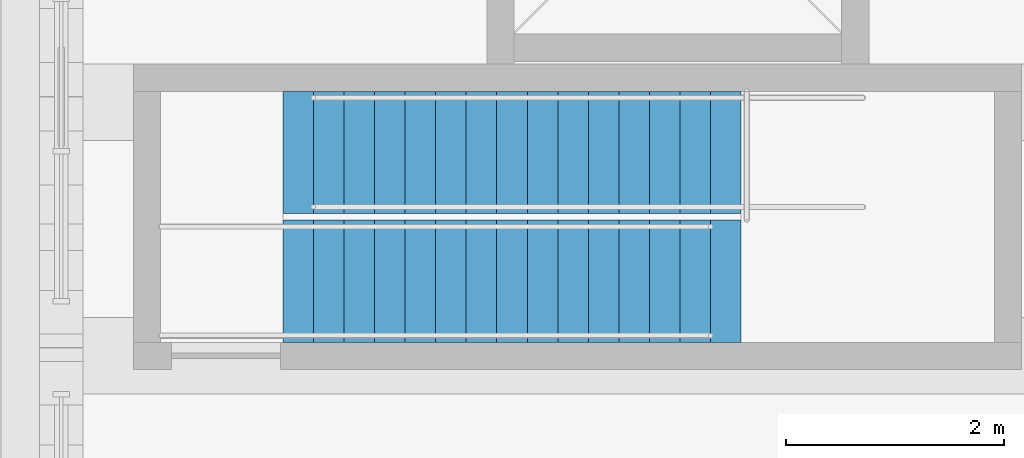
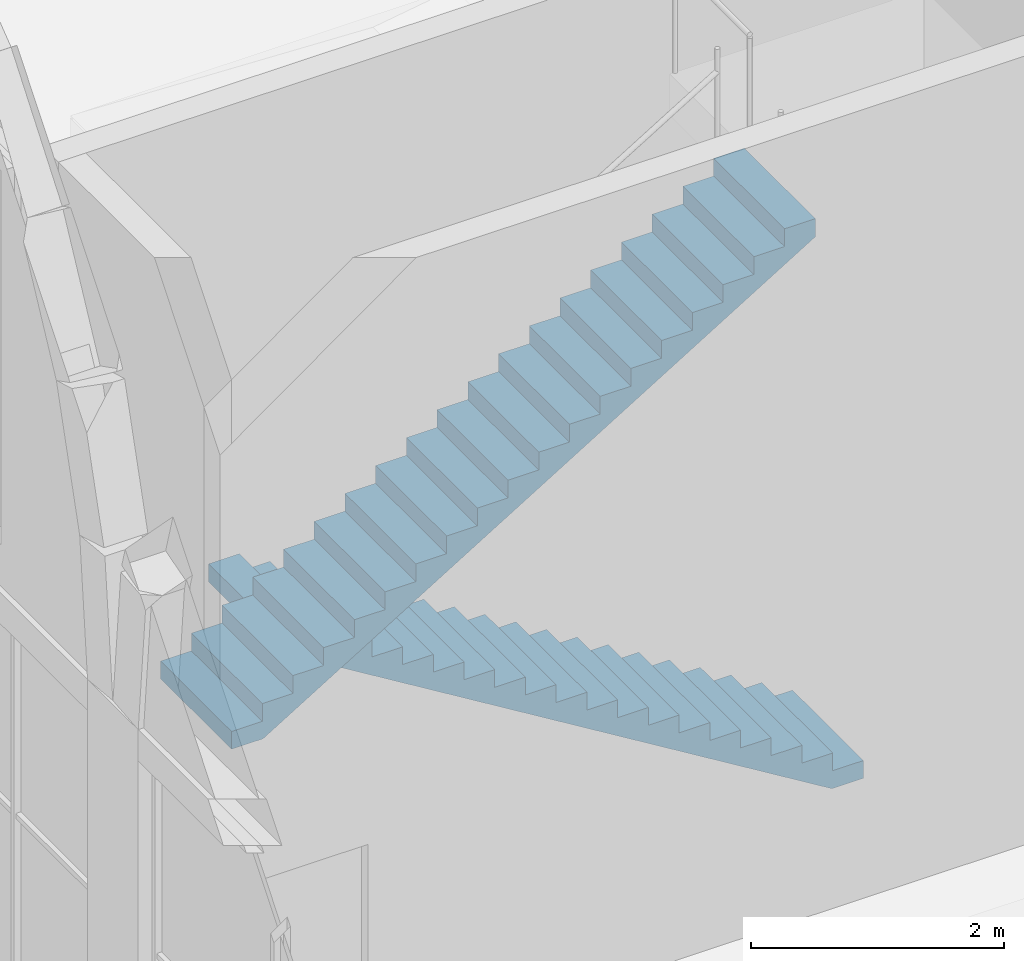
# One storey, part 103 of 130: 2 stair flights, 1 element without a shape of its own.
"""IFC4 building model written with IfcOpenShell, lengths in metres."""

from ifc_helpers import new_model, si_unit, direction, frame, origin, place, context, subcontext, project, spatial, faceted_brep, material, type_object, element, aggregate, save


model = new_model("IFC4")

# Units and contexts
model_context = context("Model", 3, precision=1e-05, world=origin(), true_north=direction((0.0, 1.0)))
body_context = subcontext(model_context, "Body", "Model", "MODEL_VIEW")
ifc_project = project(units=[si_unit("LENGTHUNIT", "METRE"), si_unit("AREAUNIT", "SQUARE_METRE"), si_unit("VOLUMEUNIT", "CUBIC_METRE"), si_unit("PLANEANGLEUNIT", "RADIAN"), si_unit("MASSUNIT", "GRAM", prefix="KILO")], contexts=[model_context])

# Site, building, storey
site_placement = place(None, origin())
site = spatial("IfcSite", under=ifc_project, at=site_placement, CompositionType="ELEMENT")
building_placement = place(site_placement, origin())
building = spatial("IfcBuilding", under=site, at=building_placement, Name="Ogive Plaza Stadium", CompositionType="ELEMENT")
storey_placement = place(building_placement, frame((0.0, 0.0, 22.5)))
storey = spatial("IfcBuildingStorey", under=building, at=storey_placement, Name="L05", CompositionType="ELEMENT", Elevation=22.5)

# Stair, stair flights
ifc_material_1 = material(Name="Concrete C40/50", Category="concrete")
stair_type = type_object("IfcStairType", Name="Roof access stair", PredefinedType="STRAIGHT_RUN_STAIR", material=ifc_material_1)
stair_placement = place(storey_placement, origin())
stair = element("IfcStair", 1, at=stair_placement, inside=storey, type_object=stair_type, Name="Roof access stair RA2 L05 to Roof", PredefinedType="STRAIGHT_RUN_STAIR")
ifc_material_2 = material(Name="Concrete C40/50", Category="concrete")
stair_flight_type = type_object("IfcStairFlightType", Name="Roof access stair flight", PredefinedType="STRAIGHT", material=ifc_material_2)
stair_flight_1_placement = place(storey_placement, frame((-76.449951171875, 4.090087890625, 0.0), z_axis=(0.0, 0.0, 1.0), x_axis=(-1.0, 0.0, 0.0)))
stair_flight_1 = element("IfcStairFlight", 2, at=stair_flight_1_placement, type_object=stair_flight_type, Name="RA2 flight 1", NumberOfRisers=19, NumberOfTreads=18, PredefinedType="STRAIGHT", RiserHeight=0.171052632, TreadLength=0.28, context=body_context, shape_type="Brep", body=[
    faceted_brep([(0.28759765625, -0.56005859375, 0.0), (5.320068359375, -0.56005859375, 3.07421875), (5.320068359375, -0.56005859375, 3.25), (5.0400390625, -0.56005859375, 3.25), (5.0400390625, -0.56005859375, 3.078857421875), (4.760009765625, -0.56005859375, 3.078857421875), (4.760009765625, -0.56005859375, 2.907958984375), (4.47998046875, -0.56005859375, 2.907958984375), (4.47998046875, -0.56005859375, 2.73681640625), (4.199951171875, -0.56005859375, 2.73681640625), (4.199951171875, -0.56005859375, 2.565673828125), (3.919921875, -0.56005859375, 2.565673828125), (3.919921875, -0.56005859375, 2.394775390625), (3.639892578125, -0.56005859375, 2.394775390625), (3.639892578125, -0.56005859375, 2.2236328125), (3.360107421875, -0.56005859375, 2.2236328125), (3.360107421875, -0.56005859375, 2.052734375), (3.080078125, -0.56005859375, 2.052734375), (3.080078125, -0.56005859375, 1.881591796875), (2.800048828125, -0.56005859375, 1.881591796875), (2.800048828125, -0.56005859375, 1.71044921875), (2.52001953125, -0.56005859375, 1.71044921875), (2.52001953125, -0.56005859375, 1.53955078125), (2.239990234375, -0.56005859375, 1.53955078125), (2.239990234375, -0.56005859375, 1.368408203125), (1.9599609375, -0.56005859375, 1.368408203125), (1.9599609375, -0.56005859375, 1.197265625), (1.679931640625, -0.56005859375, 1.197265625), (1.679931640625, -0.56005859375, 1.0263671875), (1.39990234375, -0.56005859375, 1.0263671875), (1.39990234375, -0.56005859375, 0.855224609375), (1.1201171875, -0.56005859375, 0.855224609375), (1.1201171875, -0.56005859375, 0.684326171875), (0.840087890625, -0.56005859375, 0.684326171875), (0.840087890625, -0.56005859375, 0.51318359375), (0.56005859375, -0.56005859375, 0.51318359375), (0.56005859375, -0.56005859375, 0.342041015625), (0.280029296875, -0.56005859375, 0.342041015625), (0.280029296875, -0.56005859375, 0.171142578125), (0.0, -0.56005859375, 0.171142578125), (0.0, -0.56005859375, 0.0), (0.0, 0.56005859375, 0.0), (0.0, 0.56005859375, 0.171142578125), (0.280029296875, 0.56005859375, 0.171142578125), (0.280029296875, 0.56005859375, 0.342041015625), (0.56005859375, 0.56005859375, 0.342041015625), (0.56005859375, 0.56005859375, 0.51318359375), (0.840087890625, 0.56005859375, 0.51318359375), (0.840087890625, 0.56005859375, 0.684326171875), (1.1201171875, 0.56005859375, 0.684326171875), (1.1201171875, 0.56005859375, 0.855224609375), (1.39990234375, 0.56005859375, 0.855224609375), (1.39990234375, 0.56005859375, 1.0263671875), (1.679931640625, 0.56005859375, 1.0263671875), (1.679931640625, 0.56005859375, 1.197265625), (1.9599609375, 0.56005859375, 1.197265625), (1.9599609375, 0.56005859375, 1.368408203125), (2.239990234375, 0.56005859375, 1.368408203125), (2.239990234375, 0.56005859375, 1.53955078125), (2.52001953125, 0.56005859375, 1.53955078125), (2.52001953125, 0.56005859375, 1.71044921875), (2.800048828125, 0.56005859375, 1.71044921875), (2.800048828125, 0.56005859375, 1.881591796875), (3.080078125, 0.56005859375, 1.881591796875), (3.080078125, 0.56005859375, 2.052734375), (3.360107421875, 0.56005859375, 2.052734375), (3.360107421875, 0.56005859375, 2.2236328125), (3.639892578125, 0.56005859375, 2.2236328125), (3.639892578125, 0.56005859375, 2.394775390625), (3.919921875, 0.56005859375, 2.394775390625), (3.919921875, 0.56005859375, 2.565673828125), (4.199951171875, 0.56005859375, 2.565673828125), (4.199951171875, 0.56005859375, 2.73681640625), (4.47998046875, 0.56005859375, 2.73681640625), (4.47998046875, 0.56005859375, 2.907958984375), (4.760009765625, 0.56005859375, 2.907958984375), (4.760009765625, 0.56005859375, 3.078857421875), (5.0400390625, 0.56005859375, 3.078857421875), (5.0400390625, 0.56005859375, 3.25), (5.320068359375, 0.56005859375, 3.25), (5.320068359375, 0.56005859375, 3.07421875), (0.28759765625, 0.56005859375, 0.0), (0.28759765625, -0.280029296875, 0.0), (5.320068359375, -0.280029296875, 3.07421875), (0.28759765625, 0.0, 0.0), (5.320068359375, 0.0, 3.07421875), (0.28759765625, 0.280029296875, 0.0), (5.320068359375, 0.280029296875, 3.07421875), (5.320068359375, -0.280029296875, 3.25), (5.320068359375, 0.0, 3.25), (5.320068359375, 0.280029296875, 3.25), (5.0400390625, -0.280029296875, 3.25), (5.0400390625, 0.0, 3.25), (5.0400390625, 0.280029296875, 3.25), (5.0400390625, -0.280029296875, 3.078857421875), (5.0400390625, 0.0, 3.078857421875), (5.0400390625, 0.280029296875, 3.078857421875), (4.760009765625, -0.280029296875, 3.078857421875), (4.760009765625, 0.0, 3.078857421875), (4.760009765625, 0.280029296875, 3.078857421875), (4.760009765625, -0.280029296875, 2.907958984375), (4.760009765625, 0.0, 2.907958984375), (4.760009765625, 0.280029296875, 2.907958984375), (4.47998046875, -0.280029296875, 2.907958984375), (4.47998046875, 0.0, 2.907958984375), (4.47998046875, 0.280029296875, 2.907958984375), (4.47998046875, -0.280029296875, 2.73681640625), (4.47998046875, 0.0, 2.73681640625), (4.47998046875, 0.280029296875, 2.73681640625), (4.199951171875, -0.280029296875, 2.73681640625), (4.199951171875, 0.0, 2.73681640625), (4.199951171875, 0.280029296875, 2.73681640625), (4.199951171875, -0.280029296875, 2.565673828125), (4.199951171875, 0.0, 2.565673828125), (4.199951171875, 0.280029296875, 2.565673828125), (3.919921875, -0.280029296875, 2.565673828125), (3.919921875, 0.0, 2.565673828125), (3.919921875, 0.280029296875, 2.565673828125), (3.919921875, -0.280029296875, 2.394775390625), (3.919921875, 0.0, 2.394775390625), (3.919921875, 0.280029296875, 2.394775390625), (3.639892578125, -0.280029296875, 2.394775390625), (3.639892578125, 0.0, 2.394775390625), (3.639892578125, 0.280029296875, 2.394775390625), (3.639892578125, -0.280029296875, 2.2236328125), (3.639892578125, 0.0, 2.2236328125), (3.639892578125, 0.280029296875, 2.2236328125), (3.360107421875, -0.280029296875, 2.2236328125), (3.360107421875, 0.0, 2.2236328125), (3.360107421875, 0.280029296875, 2.2236328125), (3.360107421875, -0.280029296875, 2.052734375), (3.360107421875, 0.0, 2.052734375), (3.360107421875, 0.280029296875, 2.052734375), (3.080078125, -0.280029296875, 2.052734375), (3.080078125, 0.0, 2.052734375), (3.080078125, 0.280029296875, 2.052734375), (3.080078125, -0.280029296875, 1.881591796875), (3.080078125, 0.0, 1.881591796875), (3.080078125, 0.280029296875, 1.881591796875), (2.800048828125, -0.280029296875, 1.881591796875), (2.800048828125, 0.0, 1.881591796875), (2.800048828125, 0.280029296875, 1.881591796875), (2.800048828125, -0.280029296875, 1.71044921875), (2.800048828125, 0.0, 1.71044921875), (2.800048828125, 0.280029296875, 1.71044921875), (2.52001953125, -0.280029296875, 1.71044921875), (2.52001953125, 0.0, 1.71044921875), (2.52001953125, 0.280029296875, 1.71044921875), (2.52001953125, -0.280029296875, 1.53955078125), (2.52001953125, 0.0, 1.53955078125), (2.52001953125, 0.280029296875, 1.53955078125), (2.239990234375, -0.280029296875, 1.53955078125), (2.239990234375, 0.0, 1.53955078125), (2.239990234375, 0.280029296875, 1.53955078125), (2.239990234375, -0.280029296875, 1.368408203125), (2.239990234375, 0.0, 1.368408203125), (2.239990234375, 0.280029296875, 1.368408203125), (1.9599609375, -0.280029296875, 1.368408203125), (1.9599609375, 0.0, 1.368408203125), (1.9599609375, 0.280029296875, 1.368408203125), (1.9599609375, -0.280029296875, 1.197265625), (1.9599609375, 0.0, 1.197265625), (1.9599609375, 0.280029296875, 1.197265625), (1.679931640625, -0.280029296875, 1.197265625), (1.679931640625, 0.0, 1.197265625), (1.679931640625, 0.280029296875, 1.197265625), (1.679931640625, -0.280029296875, 1.0263671875), (1.679931640625, 0.0, 1.0263671875), (1.679931640625, 0.280029296875, 1.0263671875), (1.39990234375, -0.280029296875, 1.0263671875), (1.39990234375, 0.0, 1.0263671875), (1.39990234375, 0.280029296875, 1.0263671875), (1.39990234375, -0.280029296875, 0.855224609375), (1.39990234375, 0.0, 0.855224609375), (1.39990234375, 0.280029296875, 0.855224609375), (1.1201171875, -0.280029296875, 0.855224609375), (1.1201171875, 0.0, 0.855224609375), (1.1201171875, 0.280029296875, 0.855224609375), (1.1201171875, -0.280029296875, 0.684326171875), (1.1201171875, 0.0, 0.684326171875), (1.1201171875, 0.280029296875, 0.684326171875), (0.840087890625, -0.280029296875, 0.684326171875), (0.840087890625, 0.0, 0.684326171875), (0.840087890625, 0.280029296875, 0.684326171875), (0.840087890625, -0.280029296875, 0.51318359375), (0.840087890625, 0.0, 0.51318359375), (0.840087890625, 0.280029296875, 0.51318359375), (0.56005859375, -0.280029296875, 0.51318359375), (0.56005859375, 0.0, 0.51318359375), (0.56005859375, 0.280029296875, 0.51318359375), (0.56005859375, -0.280029296875, 0.342041015625), (0.56005859375, 0.0, 0.342041015625), (0.56005859375, 0.280029296875, 0.342041015625), (0.280029296875, -0.280029296875, 0.342041015625), (0.280029296875, 0.0, 0.342041015625), (0.280029296875, 0.280029296875, 0.342041015625), (0.280029296875, -0.280029296875, 0.171142578125), (0.280029296875, 0.0, 0.171142578125), (0.280029296875, 0.280029296875, 0.171142578125), (0.0, -0.280029296875, 0.171142578125), (0.0, 0.0, 0.171142578125), (0.0, 0.280029296875, 0.171142578125), (0.0, -0.280029296875, 0.0), (0.0, 0.0, 0.0), (0.0, 0.280029296875, 0.0)], [[[0, 1, 2, 3, 4, 5, 6, 7, 8, 9, 10, 11, 12, 13, 14, 15, 16, 17, 18, 19, 20, 21, 22, 23, 24, 25, 26, 27, 28, 29, 30, 31, 32, 33, 34, 35, 36, 37, 38, 39, 40]], [[41, 42, 43, 44, 45, 46, 47, 48, 49, 50, 51, 52, 53, 54, 55, 56, 57, 58, 59, 60, 61, 62, 63, 64, 65, 66, 67, 68, 69, 70, 71, 72, 73, 74, 75, 76, 77, 78, 79, 80, 81]], [[0, 82, 83, 1]], [[82, 84, 85, 83]], [[84, 86, 87, 85]], [[86, 81, 80, 87]], [[1, 83, 88, 2]], [[83, 85, 89, 88]], [[85, 87, 90, 89]], [[87, 80, 79, 90]], [[2, 88, 91, 3]], [[88, 89, 92, 91]], [[89, 90, 93, 92]], [[90, 79, 78, 93]], [[3, 91, 94, 4]], [[91, 92, 95, 94]], [[92, 93, 96, 95]], [[93, 78, 77, 96]], [[4, 94, 97, 5]], [[94, 95, 98, 97]], [[95, 96, 99, 98]], [[96, 77, 76, 99]], [[5, 97, 100, 6]], [[97, 98, 101, 100]], [[98, 99, 102, 101]], [[99, 76, 75, 102]], [[6, 100, 103, 7]], [[100, 101, 104, 103]], [[101, 102, 105, 104]], [[102, 75, 74, 105]], [[7, 103, 106, 8]], [[103, 104, 107, 106]], [[104, 105, 108, 107]], [[105, 74, 73, 108]], [[8, 106, 109, 9]], [[106, 107, 110, 109]], [[107, 108, 111, 110]], [[108, 73, 72, 111]], [[9, 109, 112, 10]], [[109, 110, 113, 112]], [[110, 111, 114, 113]], [[111, 72, 71, 114]], [[10, 112, 115, 11]], [[112, 113, 116, 115]], [[113, 114, 117, 116]], [[114, 71, 70, 117]], [[11, 115, 118, 12]], [[115, 116, 119, 118]], [[116, 117, 120, 119]], [[117, 70, 69, 120]], [[12, 118, 121, 13]], [[118, 119, 122, 121]], [[119, 120, 123, 122]], [[120, 69, 68, 123]], [[13, 121, 124, 14]], [[121, 122, 125, 124]], [[122, 123, 126, 125]], [[123, 68, 67, 126]], [[14, 124, 127, 15]], [[124, 125, 128, 127]], [[125, 126, 129, 128]], [[126, 67, 66, 129]], [[15, 127, 130, 16]], [[127, 128, 131, 130]], [[128, 129, 132, 131]], [[129, 66, 65, 132]], [[16, 130, 133, 17]], [[130, 131, 134, 133]], [[131, 132, 135, 134]], [[132, 65, 64, 135]], [[17, 133, 136, 18]], [[133, 134, 137, 136]], [[134, 135, 138, 137]], [[135, 64, 63, 138]], [[18, 136, 139, 19]], [[136, 137, 140, 139]], [[137, 138, 141, 140]], [[138, 63, 62, 141]], [[19, 139, 142, 20]], [[139, 140, 143, 142]], [[140, 141, 144, 143]], [[141, 62, 61, 144]], [[20, 142, 145, 21]], [[142, 143, 146, 145]], [[143, 144, 147, 146]], [[144, 61, 60, 147]], [[21, 145, 148, 22]], [[145, 146, 149, 148]], [[146, 147, 150, 149]], [[147, 60, 59, 150]], [[22, 148, 151, 23]], [[148, 149, 152, 151]], [[149, 150, 153, 152]], [[150, 59, 58, 153]], [[23, 151, 154, 24]], [[151, 152, 155, 154]], [[152, 153, 156, 155]], [[153, 58, 57, 156]], [[24, 154, 157, 25]], [[154, 155, 158, 157]], [[155, 156, 159, 158]], [[156, 57, 56, 159]], [[25, 157, 160, 26]], [[157, 158, 161, 160]], [[158, 159, 162, 161]], [[159, 56, 55, 162]], [[26, 160, 163, 27]], [[160, 161, 164, 163]], [[161, 162, 165, 164]], [[162, 55, 54, 165]], [[27, 163, 166, 28]], [[163, 164, 167, 166]], [[164, 165, 168, 167]], [[165, 54, 53, 168]], [[28, 166, 169, 29]], [[166, 167, 170, 169]], [[167, 168, 171, 170]], [[168, 53, 52, 171]], [[29, 169, 172, 30]], [[169, 170, 173, 172]], [[170, 171, 174, 173]], [[171, 52, 51, 174]], [[30, 172, 175, 31]], [[172, 173, 176, 175]], [[173, 174, 177, 176]], [[174, 51, 50, 177]], [[31, 175, 178, 32]], [[175, 176, 179, 178]], [[176, 177, 180, 179]], [[177, 50, 49, 180]], [[32, 178, 181, 33]], [[178, 179, 182, 181]], [[179, 180, 183, 182]], [[180, 49, 48, 183]], [[33, 181, 184, 34]], [[181, 182, 185, 184]], [[182, 183, 186, 185]], [[183, 48, 47, 186]], [[34, 184, 187, 35]], [[184, 185, 188, 187]], [[185, 186, 189, 188]], [[186, 47, 46, 189]], [[35, 187, 190, 36]], [[187, 188, 191, 190]], [[188, 189, 192, 191]], [[189, 46, 45, 192]], [[36, 190, 193, 37]], [[190, 191, 194, 193]], [[191, 192, 195, 194]], [[192, 45, 44, 195]], [[37, 193, 196, 38]], [[193, 194, 197, 196]], [[194, 195, 198, 197]], [[195, 44, 43, 198]], [[38, 196, 199, 39]], [[196, 197, 200, 199]], [[197, 198, 201, 200]], [[198, 43, 42, 201]], [[39, 199, 202, 40]], [[199, 200, 203, 202]], [[200, 201, 204, 203]], [[201, 42, 41, 204]], [[40, 202, 82, 0]], [[202, 203, 84, 82]], [[203, 204, 86, 84]], [[204, 41, 81, 86]]]),
])
stair_flight_2_placement = place(storey_placement, frame((-82.889892578125, 2.909912109375, 3.25), z_axis=(0.0, 0.0, 1.0), x_axis=(1.0, 0.0, 0.0)))
stair_flight_2 = element("IfcStairFlight", 3, at=stair_flight_2_placement, type_object=stair_flight_type, Name="RA2 flight 2", NumberOfRisers=19, NumberOfTreads=18, PredefinedType="STRAIGHT", RiserHeight=0.171052632, TreadLength=0.28, context=body_context, shape_type="Brep", body=[
    faceted_brep([(0.28759765625, -0.56005859375, 0.0), (5.320068359375, -0.56005859375, 3.07421875), (5.320068359375, -0.56005859375, 3.25), (5.0400390625, -0.56005859375, 3.25), (5.0400390625, -0.56005859375, 3.078857421875), (4.760009765625, -0.56005859375, 3.078857421875), (4.760009765625, -0.56005859375, 2.907958984375), (4.47998046875, -0.56005859375, 2.907958984375), (4.47998046875, -0.56005859375, 2.73681640625), (4.199951171875, -0.56005859375, 2.73681640625), (4.199951171875, -0.56005859375, 2.565673828125), (3.919921875, -0.56005859375, 2.565673828125), (3.919921875, -0.56005859375, 2.394775390625), (3.639892578125, -0.56005859375, 2.394775390625), (3.639892578125, -0.56005859375, 2.2236328125), (3.360107421875, -0.56005859375, 2.2236328125), (3.360107421875, -0.56005859375, 2.052734375), (3.080078125, -0.56005859375, 2.052734375), (3.080078125, -0.56005859375, 1.881591796875), (2.800048828125, -0.56005859375, 1.881591796875), (2.800048828125, -0.56005859375, 1.71044921875), (2.52001953125, -0.56005859375, 1.71044921875), (2.52001953125, -0.56005859375, 1.53955078125), (2.239990234375, -0.56005859375, 1.53955078125), (2.239990234375, -0.56005859375, 1.368408203125), (1.9599609375, -0.56005859375, 1.368408203125), (1.9599609375, -0.56005859375, 1.197265625), (1.679931640625, -0.56005859375, 1.197265625), (1.679931640625, -0.56005859375, 1.0263671875), (1.39990234375, -0.56005859375, 1.0263671875), (1.39990234375, -0.56005859375, 0.855224609375), (1.1201171875, -0.56005859375, 0.855224609375), (1.1201171875, -0.56005859375, 0.684326171875), (0.840087890625, -0.56005859375, 0.684326171875), (0.840087890625, -0.56005859375, 0.51318359375), (0.56005859375, -0.56005859375, 0.51318359375), (0.56005859375, -0.56005859375, 0.342041015625), (0.280029296875, -0.56005859375, 0.342041015625), (0.280029296875, -0.56005859375, 0.171142578125), (0.0, -0.56005859375, 0.171142578125), (0.0, -0.56005859375, 0.0), (0.0, 0.56005859375, 0.0), (0.0, 0.56005859375, 0.171142578125), (0.280029296875, 0.56005859375, 0.171142578125), (0.280029296875, 0.56005859375, 0.342041015625), (0.56005859375, 0.56005859375, 0.342041015625), (0.56005859375, 0.56005859375, 0.51318359375), (0.840087890625, 0.56005859375, 0.51318359375), (0.840087890625, 0.56005859375, 0.684326171875), (1.1201171875, 0.56005859375, 0.684326171875), (1.1201171875, 0.56005859375, 0.855224609375), (1.39990234375, 0.56005859375, 0.855224609375), (1.39990234375, 0.56005859375, 1.0263671875), (1.679931640625, 0.56005859375, 1.0263671875), (1.679931640625, 0.56005859375, 1.197265625), (1.9599609375, 0.56005859375, 1.197265625), (1.9599609375, 0.56005859375, 1.368408203125), (2.239990234375, 0.56005859375, 1.368408203125), (2.239990234375, 0.56005859375, 1.53955078125), (2.52001953125, 0.56005859375, 1.53955078125), (2.52001953125, 0.56005859375, 1.71044921875), (2.800048828125, 0.56005859375, 1.71044921875), (2.800048828125, 0.56005859375, 1.881591796875), (3.080078125, 0.56005859375, 1.881591796875), (3.080078125, 0.56005859375, 2.052734375), (3.360107421875, 0.56005859375, 2.052734375), (3.360107421875, 0.56005859375, 2.2236328125), (3.639892578125, 0.56005859375, 2.2236328125), (3.639892578125, 0.56005859375, 2.394775390625), (3.919921875, 0.56005859375, 2.394775390625), (3.919921875, 0.56005859375, 2.565673828125), (4.199951171875, 0.56005859375, 2.565673828125), (4.199951171875, 0.56005859375, 2.73681640625), (4.47998046875, 0.56005859375, 2.73681640625), (4.47998046875, 0.56005859375, 2.907958984375), (4.760009765625, 0.56005859375, 2.907958984375), (4.760009765625, 0.56005859375, 3.078857421875), (5.0400390625, 0.56005859375, 3.078857421875), (5.0400390625, 0.56005859375, 3.25), (5.320068359375, 0.56005859375, 3.25), (5.320068359375, 0.56005859375, 3.07421875), (0.28759765625, 0.56005859375, 0.0), (0.28759765625, -0.280029296875, 0.0), (5.320068359375, -0.280029296875, 3.07421875), (0.28759765625, 0.0, 0.0), (5.320068359375, 0.0, 3.07421875), (0.28759765625, 0.280029296875, 0.0), (5.320068359375, 0.280029296875, 3.07421875), (5.320068359375, -0.280029296875, 3.25), (5.320068359375, 0.0, 3.25), (5.320068359375, 0.280029296875, 3.25), (5.0400390625, -0.280029296875, 3.25), (5.0400390625, 0.0, 3.25), (5.0400390625, 0.280029296875, 3.25), (5.0400390625, -0.280029296875, 3.078857421875), (5.0400390625, 0.0, 3.078857421875), (5.0400390625, 0.280029296875, 3.078857421875), (4.760009765625, -0.280029296875, 3.078857421875), (4.760009765625, 0.0, 3.078857421875), (4.760009765625, 0.280029296875, 3.078857421875), (4.760009765625, -0.280029296875, 2.907958984375), (4.760009765625, 0.0, 2.907958984375), (4.760009765625, 0.280029296875, 2.907958984375), (4.47998046875, -0.280029296875, 2.907958984375), (4.47998046875, 0.0, 2.907958984375), (4.47998046875, 0.280029296875, 2.907958984375), (4.47998046875, -0.280029296875, 2.73681640625), (4.47998046875, 0.0, 2.73681640625), (4.47998046875, 0.280029296875, 2.73681640625), (4.199951171875, -0.280029296875, 2.73681640625), (4.199951171875, 0.0, 2.73681640625), (4.199951171875, 0.280029296875, 2.73681640625), (4.199951171875, -0.280029296875, 2.565673828125), (4.199951171875, 0.0, 2.565673828125), (4.199951171875, 0.280029296875, 2.565673828125), (3.919921875, -0.280029296875, 2.565673828125), (3.919921875, 0.0, 2.565673828125), (3.919921875, 0.280029296875, 2.565673828125), (3.919921875, -0.280029296875, 2.394775390625), (3.919921875, 0.0, 2.394775390625), (3.919921875, 0.280029296875, 2.394775390625), (3.639892578125, -0.280029296875, 2.394775390625), (3.639892578125, 0.0, 2.394775390625), (3.639892578125, 0.280029296875, 2.394775390625), (3.639892578125, -0.280029296875, 2.2236328125), (3.639892578125, 0.0, 2.2236328125), (3.639892578125, 0.280029296875, 2.2236328125), (3.360107421875, -0.280029296875, 2.2236328125), (3.360107421875, 0.0, 2.2236328125), (3.360107421875, 0.280029296875, 2.2236328125), (3.360107421875, -0.280029296875, 2.052734375), (3.360107421875, 0.0, 2.052734375), (3.360107421875, 0.280029296875, 2.052734375), (3.080078125, -0.280029296875, 2.052734375), (3.080078125, 0.0, 2.052734375), (3.080078125, 0.280029296875, 2.052734375), (3.080078125, -0.280029296875, 1.881591796875), (3.080078125, 0.0, 1.881591796875), (3.080078125, 0.280029296875, 1.881591796875), (2.800048828125, -0.280029296875, 1.881591796875), (2.800048828125, 0.0, 1.881591796875), (2.800048828125, 0.280029296875, 1.881591796875), (2.800048828125, -0.280029296875, 1.71044921875), (2.800048828125, 0.0, 1.71044921875), (2.800048828125, 0.280029296875, 1.71044921875), (2.52001953125, -0.280029296875, 1.71044921875), (2.52001953125, 0.0, 1.71044921875), (2.52001953125, 0.280029296875, 1.71044921875), (2.52001953125, -0.280029296875, 1.53955078125), (2.52001953125, 0.0, 1.53955078125), (2.52001953125, 0.280029296875, 1.53955078125), (2.239990234375, -0.280029296875, 1.53955078125), (2.239990234375, 0.0, 1.53955078125), (2.239990234375, 0.280029296875, 1.53955078125), (2.239990234375, -0.280029296875, 1.368408203125), (2.239990234375, 0.0, 1.368408203125), (2.239990234375, 0.280029296875, 1.368408203125), (1.9599609375, -0.280029296875, 1.368408203125), (1.9599609375, 0.0, 1.368408203125), (1.9599609375, 0.280029296875, 1.368408203125), (1.9599609375, -0.280029296875, 1.197265625), (1.9599609375, 0.0, 1.197265625), (1.9599609375, 0.280029296875, 1.197265625), (1.679931640625, -0.280029296875, 1.197265625), (1.679931640625, 0.0, 1.197265625), (1.679931640625, 0.280029296875, 1.197265625), (1.679931640625, -0.280029296875, 1.0263671875), (1.679931640625, 0.0, 1.0263671875), (1.679931640625, 0.280029296875, 1.0263671875), (1.39990234375, -0.280029296875, 1.0263671875), (1.39990234375, 0.0, 1.0263671875), (1.39990234375, 0.280029296875, 1.0263671875), (1.39990234375, -0.280029296875, 0.855224609375), (1.39990234375, 0.0, 0.855224609375), (1.39990234375, 0.280029296875, 0.855224609375), (1.1201171875, -0.280029296875, 0.855224609375), (1.1201171875, 0.0, 0.855224609375), (1.1201171875, 0.280029296875, 0.855224609375), (1.1201171875, -0.280029296875, 0.684326171875), (1.1201171875, 0.0, 0.684326171875), (1.1201171875, 0.280029296875, 0.684326171875), (0.840087890625, -0.280029296875, 0.684326171875), (0.840087890625, 0.0, 0.684326171875), (0.840087890625, 0.280029296875, 0.684326171875), (0.840087890625, -0.280029296875, 0.51318359375), (0.840087890625, 0.0, 0.51318359375), (0.840087890625, 0.280029296875, 0.51318359375), (0.56005859375, -0.280029296875, 0.51318359375), (0.56005859375, 0.0, 0.51318359375), (0.56005859375, 0.280029296875, 0.51318359375), (0.56005859375, -0.280029296875, 0.342041015625), (0.56005859375, 0.0, 0.342041015625), (0.56005859375, 0.280029296875, 0.342041015625), (0.280029296875, -0.280029296875, 0.342041015625), (0.280029296875, 0.0, 0.342041015625), (0.280029296875, 0.280029296875, 0.342041015625), (0.280029296875, -0.280029296875, 0.171142578125), (0.280029296875, 0.0, 0.171142578125), (0.280029296875, 0.280029296875, 0.171142578125), (0.0, -0.280029296875, 0.171142578125), (0.0, 0.0, 0.171142578125), (0.0, 0.280029296875, 0.171142578125), (0.0, -0.280029296875, 0.0), (0.0, 0.0, 0.0), (0.0, 0.280029296875, 0.0)], [[[0, 1, 2, 3, 4, 5, 6, 7, 8, 9, 10, 11, 12, 13, 14, 15, 16, 17, 18, 19, 20, 21, 22, 23, 24, 25, 26, 27, 28, 29, 30, 31, 32, 33, 34, 35, 36, 37, 38, 39, 40]], [[41, 42, 43, 44, 45, 46, 47, 48, 49, 50, 51, 52, 53, 54, 55, 56, 57, 58, 59, 60, 61, 62, 63, 64, 65, 66, 67, 68, 69, 70, 71, 72, 73, 74, 75, 76, 77, 78, 79, 80, 81]], [[0, 82, 83, 1]], [[82, 84, 85, 83]], [[84, 86, 87, 85]], [[86, 81, 80, 87]], [[1, 83, 88, 2]], [[83, 85, 89, 88]], [[85, 87, 90, 89]], [[87, 80, 79, 90]], [[2, 88, 91, 3]], [[88, 89, 92, 91]], [[89, 90, 93, 92]], [[90, 79, 78, 93]], [[3, 91, 94, 4]], [[91, 92, 95, 94]], [[92, 93, 96, 95]], [[93, 78, 77, 96]], [[4, 94, 97, 5]], [[94, 95, 98, 97]], [[95, 96, 99, 98]], [[96, 77, 76, 99]], [[5, 97, 100, 6]], [[97, 98, 101, 100]], [[98, 99, 102, 101]], [[99, 76, 75, 102]], [[6, 100, 103, 7]], [[100, 101, 104, 103]], [[101, 102, 105, 104]], [[102, 75, 74, 105]], [[7, 103, 106, 8]], [[103, 104, 107, 106]], [[104, 105, 108, 107]], [[105, 74, 73, 108]], [[8, 106, 109, 9]], [[106, 107, 110, 109]], [[107, 108, 111, 110]], [[108, 73, 72, 111]], [[9, 109, 112, 10]], [[109, 110, 113, 112]], [[110, 111, 114, 113]], [[111, 72, 71, 114]], [[10, 112, 115, 11]], [[112, 113, 116, 115]], [[113, 114, 117, 116]], [[114, 71, 70, 117]], [[11, 115, 118, 12]], [[115, 116, 119, 118]], [[116, 117, 120, 119]], [[117, 70, 69, 120]], [[12, 118, 121, 13]], [[118, 119, 122, 121]], [[119, 120, 123, 122]], [[120, 69, 68, 123]], [[13, 121, 124, 14]], [[121, 122, 125, 124]], [[122, 123, 126, 125]], [[123, 68, 67, 126]], [[14, 124, 127, 15]], [[124, 125, 128, 127]], [[125, 126, 129, 128]], [[126, 67, 66, 129]], [[15, 127, 130, 16]], [[127, 128, 131, 130]], [[128, 129, 132, 131]], [[129, 66, 65, 132]], [[16, 130, 133, 17]], [[130, 131, 134, 133]], [[131, 132, 135, 134]], [[132, 65, 64, 135]], [[17, 133, 136, 18]], [[133, 134, 137, 136]], [[134, 135, 138, 137]], [[135, 64, 63, 138]], [[18, 136, 139, 19]], [[136, 137, 140, 139]], [[137, 138, 141, 140]], [[138, 63, 62, 141]], [[19, 139, 142, 20]], [[139, 140, 143, 142]], [[140, 141, 144, 143]], [[141, 62, 61, 144]], [[20, 142, 145, 21]], [[142, 143, 146, 145]], [[143, 144, 147, 146]], [[144, 61, 60, 147]], [[21, 145, 148, 22]], [[145, 146, 149, 148]], [[146, 147, 150, 149]], [[147, 60, 59, 150]], [[22, 148, 151, 23]], [[148, 149, 152, 151]], [[149, 150, 153, 152]], [[150, 59, 58, 153]], [[23, 151, 154, 24]], [[151, 152, 155, 154]], [[152, 153, 156, 155]], [[153, 58, 57, 156]], [[24, 154, 157, 25]], [[154, 155, 158, 157]], [[155, 156, 159, 158]], [[156, 57, 56, 159]], [[25, 157, 160, 26]], [[157, 158, 161, 160]], [[158, 159, 162, 161]], [[159, 56, 55, 162]], [[26, 160, 163, 27]], [[160, 161, 164, 163]], [[161, 162, 165, 164]], [[162, 55, 54, 165]], [[27, 163, 166, 28]], [[163, 164, 167, 166]], [[164, 165, 168, 167]], [[165, 54, 53, 168]], [[28, 166, 169, 29]], [[166, 167, 170, 169]], [[167, 168, 171, 170]], [[168, 53, 52, 171]], [[29, 169, 172, 30]], [[169, 170, 173, 172]], [[170, 171, 174, 173]], [[171, 52, 51, 174]], [[30, 172, 175, 31]], [[172, 173, 176, 175]], [[173, 174, 177, 176]], [[174, 51, 50, 177]], [[31, 175, 178, 32]], [[175, 176, 179, 178]], [[176, 177, 180, 179]], [[177, 50, 49, 180]], [[32, 178, 181, 33]], [[178, 179, 182, 181]], [[179, 180, 183, 182]], [[180, 49, 48, 183]], [[33, 181, 184, 34]], [[181, 182, 185, 184]], [[182, 183, 186, 185]], [[183, 48, 47, 186]], [[34, 184, 187, 35]], [[184, 185, 188, 187]], [[185, 186, 189, 188]], [[186, 47, 46, 189]], [[35, 187, 190, 36]], [[187, 188, 191, 190]], [[188, 189, 192, 191]], [[189, 46, 45, 192]], [[36, 190, 193, 37]], [[190, 191, 194, 193]], [[191, 192, 195, 194]], [[192, 45, 44, 195]], [[37, 193, 196, 38]], [[193, 194, 197, 196]], [[194, 195, 198, 197]], [[195, 44, 43, 198]], [[38, 196, 199, 39]], [[196, 197, 200, 199]], [[197, 198, 201, 200]], [[198, 43, 42, 201]], [[39, 199, 202, 40]], [[199, 200, 203, 202]], [[200, 201, 204, 203]], [[201, 42, 41, 204]], [[40, 202, 82, 0]], [[202, 203, 84, 82]], [[203, 204, 86, 84]], [[204, 41, 81, 86]]]),
])
aggregate(stair, [stair_flight_1, stair_flight_2])

save(model, "model.ifc")
